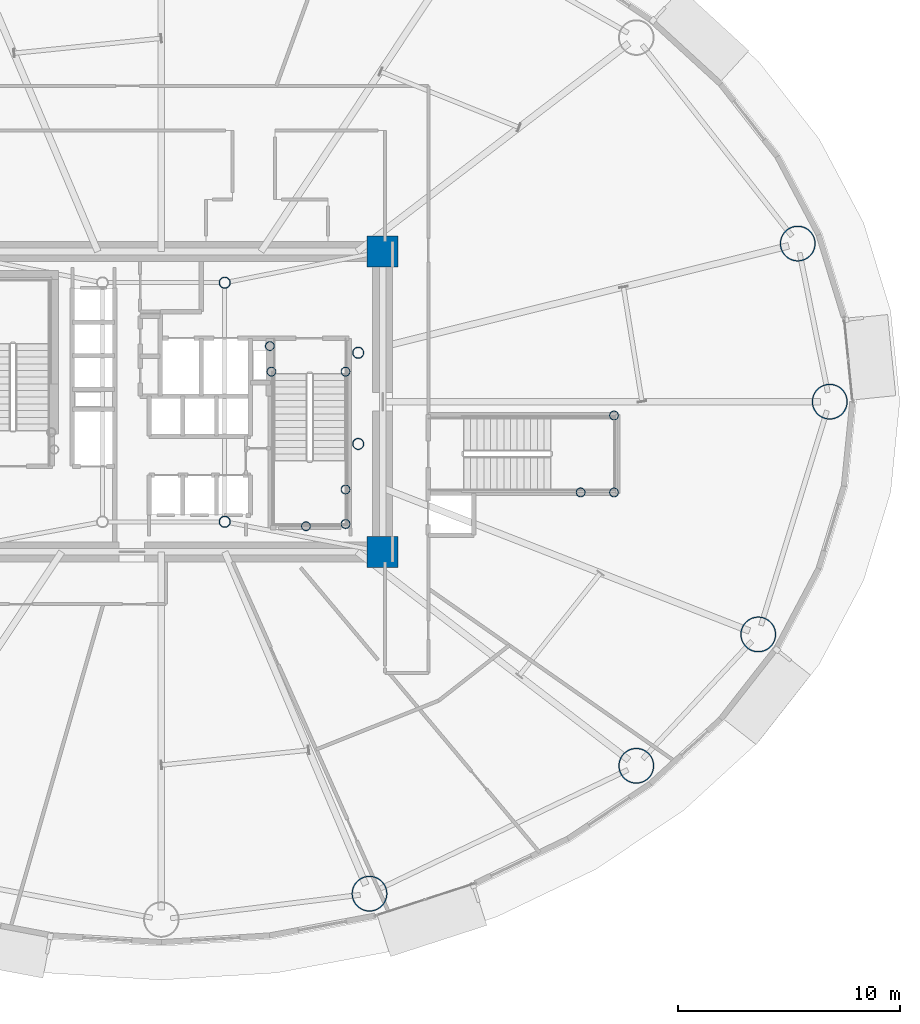
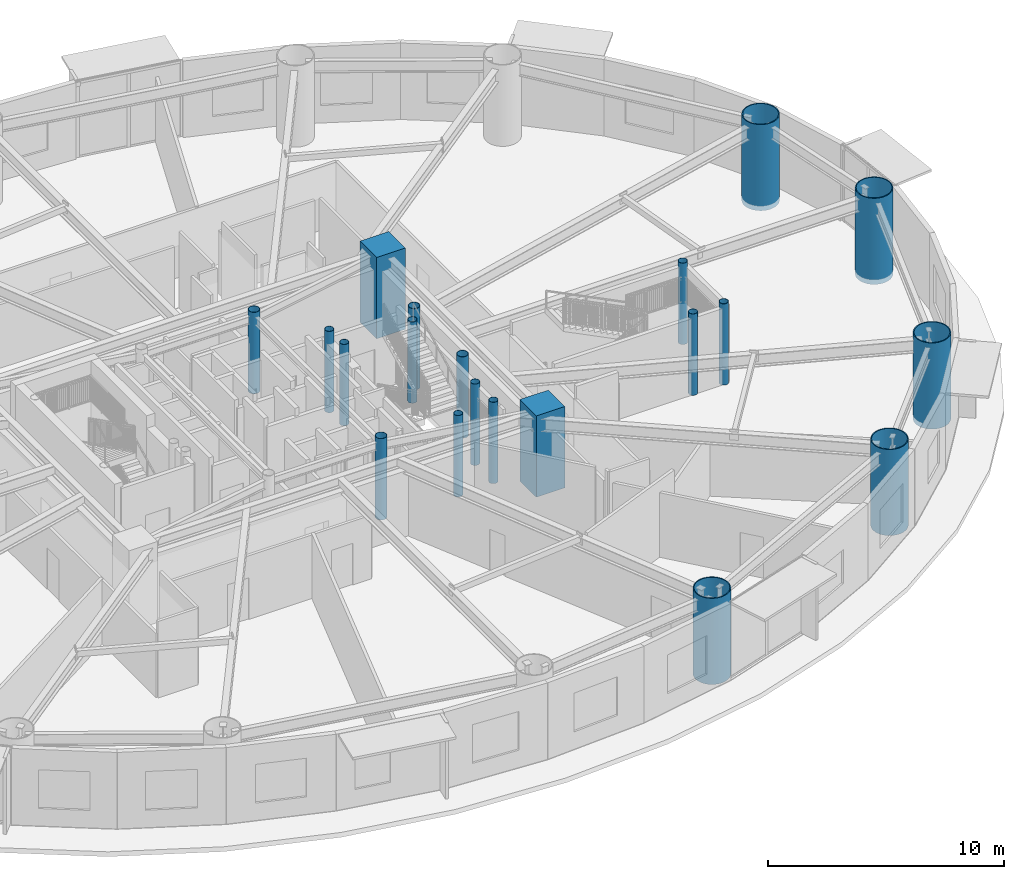
# One storey, part 2 of 35: 20 columns.
"""IFC4 building model written with IfcOpenShell, lengths in metres."""

from ifc_helpers import new_model, si_unit, direction, frame, origin, origin_2d, place, context, subcontext, project, spatial, rectangle, hollow_circle, extrude, material, material_profile, profile_set, type_object, element, save


model = new_model("IFC4")

# Units and contexts
model_context = context("Model", 3, precision=1e-05, world=origin(), true_north=direction((0.0, 1.0)))
body_context = subcontext(model_context, "Body", "Model", "MODEL_VIEW")
ifc_project = project(units=[si_unit("LENGTHUNIT", "METRE"), si_unit("AREAUNIT", "SQUARE_METRE"), si_unit("VOLUMEUNIT", "CUBIC_METRE"), si_unit("PLANEANGLEUNIT", "RADIAN"), si_unit("MASSUNIT", "GRAM", prefix="KILO")], contexts=[model_context])

# Site, building, storey
site_placement = place(None, origin())
site = spatial("IfcSite", under=ifc_project, at=site_placement, CompositionType="ELEMENT")
building_placement = place(site_placement, origin())
building = spatial("IfcBuilding", under=site, at=building_placement, Name="Linh Dai School and Residence Tower", CompositionType="ELEMENT")
storey_placement = place(building_placement, frame((0.0, 0.0, 32.39990234375)))
storey = spatial("IfcBuildingStorey", under=building, at=storey_placement, Name="L07", CompositionType="ELEMENT", Elevation=32.39990234375)

# Columns
ifc_material_1 = material(Name="Concrete B60 (C50/60)", Category="concrete")
ifc_material_profile_1 = material_profile(ifc_material_1, rectangle(XDim=1.39990234375, YDim=1.39990234375, at=origin_2d()), Name="RC 1400x1400")
ifc_profile_set_1 = profile_set([ifc_material_profile_1], Name="Concrete B60 (C50/60)")
column_type_1 = type_object("IfcColumnType", Name="COL-CC1", PredefinedType="COLUMN", material=ifc_profile_set_1)
for number, where, z_axis, x_axis, name in (
    (1, (45.949951171875, 20.25, 0.0), (0.0, 0.0, 1.0), (1.0, 0.0, 0.0), "L07 Core Corner Pier CC2"),
    (2, (45.949951171875, 33.75, 0.0), (0.0, 0.0, 1.0), (1.0, 0.0, 0.0), "L07 Core Corner Pier CC3"),
):
    element("IfcColumn", number, at=place(storey_placement, frame(where, z_axis=z_axis, x_axis=x_axis)), inside=storey, type_object=column_type_1, Name=name, PredefinedType="COLUMN", context=body_context, shape_type="SweptSolid", body=[
        extrude(rectangle(XDim=1.39990234375, YDim=1.39990234375, at=origin_2d()), origin(), (0.0, 0.0, 1.0), 4.2001953125),
    ])
ifc_material_2 = material(Name="Structural Steel S355JR", Category="steel")
ifc_material_profile_2 = material_profile(ifc_material_2, hollow_circle(Radius=0.203125, WallThickness=0.01611328125, at=origin_2d()), Name="CHS 406.4x16")
ifc_profile_set_2 = profile_set([ifc_material_profile_2], Name="Structural Steel S355JR")
column_type_2 = type_object("IfcColumnType", Name="COL-EC", PredefinedType="COLUMN", material=ifc_profile_set_2)
for number, where, z_axis, x_axis, name in (
    (3, (44.280029296875, 21.5, 0.0), (0.0, 0.0, 1.0), (1.0, 0.0, 0.0), "L07 Stair Shaft Landing Support Pier ST2SE"),
    (4, (44.280029296875, 23.050048828125, 0.0), (0.0, 0.0, 1.0), (1.0, 0.0, 0.0), "L07 Stair Shaft Landing Support Pier ST2NE"),
    (5, (42.5, 21.39990234375, 0.0), (0.0, 0.0, 1.0), (1.0, 0.0, 0.0), "L07 Stair Shaft Landing Support Pier ST2MS"),
    (6, (40.949951171875, 28.35009765625, 0.0), (0.0, 0.0, 1.0), (1.0, 0.0, 0.0), "L07 Stair Shaft Landing Support Pier ST2N1"),
    (7, (44.280029296875, 28.35009765625, 0.0), (0.0, 0.0, 1.0), (1.0, 0.0, 0.0), "L07 Stair Shaft Landing Support Pier ST2N2"),
    (8, (40.8798828125, 29.5, 0.0), (0.0, 0.0, 1.0), (1.0, 0.0, 0.0), "L07 Stair Shaft Landing Support Pier ST2N3"),
    (9, (56.35009765625, 26.3798828125, 0.0), (0.0, 0.0, 1.0), (1.0, 0.0, 0.0), "L07 Stair Shaft Landing Support Pier STS2NE"),
    (10, (56.35009765625, 22.919921875, 0.0), (0.0, 0.0, 1.0), (1.0, 0.0, 0.0), "L07 Stair Shaft Landing Support Pier STS2SE"),
    (11, (54.85009765625, 22.919921875, 0.0), (0.0, 0.0, 1.0), (1.0, 0.0, 0.0), "L07 Stair Shaft Landing Support Pier STS2MW"),
):
    element("IfcColumn", number, at=place(storey_placement, frame(where, z_axis=z_axis, x_axis=x_axis)), inside=storey, type_object=column_type_2, Name=name, PredefinedType="COLUMN", context=body_context, shape_type="SweptSolid", body=[
        extrude(hollow_circle(Radius=0.203125, WallThickness=0.01611328125, at=origin_2d()), origin(), (0.0, 0.0, 1.0), 4.2001953125),
    ])
ifc_material_profile_3 = material_profile(ifc_material_2, hollow_circle(Radius=0.800048828125, WallThickness=0.044921875, at=origin_2d()), Name="CHS 1600x45")
ifc_profile_set_3 = profile_set([ifc_material_profile_3], Name="Structural Steel S355JR")
column_type_3 = type_object("IfcColumnType", Name="COL-MC2", PredefinedType="COLUMN", material=ifc_profile_set_3)
for number, where, z_axis, x_axis, name in (
    (12, (66.050048828125, 27.0, -0.25), (0.0, 0.0, 1.0), (1.0, 0.0, 0.0), "L07 Perimeter CFT Mega-Column MC01"),
    (13, (64.61083984375, 34.108642578125, -0.25), (0.0, 0.0, 1.0), (1.0, 0.0, 0.0), "L07 Perimeter CFT Mega-Column MC02"),
    (14, (45.357666015625, 4.880126953125, -0.25), (0.0, 0.0, 1.0), (1.0, 0.0, 0.0), "L07 Perimeter CFT Mega-Column MC14"),
    (15, (57.352783203125, 10.630859375, -0.25), (0.0, 0.0, 1.0), (1.0, 0.0, 0.0), "L07 Perimeter CFT Mega-Column MC15"),
    (16, (62.83544921875, 16.5361328125, -0.25), (0.0, 0.0, 1.0), (1.0, 0.0, 0.0), "L07 Perimeter CFT Mega-Column MC16"),
):
    element("IfcColumn", number, at=place(storey_placement, frame(where, z_axis=z_axis, x_axis=x_axis)), inside=storey, type_object=column_type_3, Name=name, PredefinedType="COLUMN", context=body_context, shape_type="SweptSolid", body=[
        extrude(hollow_circle(Radius=0.800048828125, WallThickness=0.044921875, at=origin_2d()), origin(), (0.0, 0.0, 1.0), 4.4501953125),
    ])
ifc_material_profile_4 = material_profile(ifc_material_2, hollow_circle(Radius=0.25390625, WallThickness=0.02001953125, at=origin_2d()), Name="CHS 508x20")
ifc_profile_set_4 = profile_set([ifc_material_profile_4], Name="Structural Steel S355JR")
column_type_4 = type_object("IfcColumnType", Name="COL-MCP", PredefinedType="COLUMN", material=ifc_profile_set_4)
for number, where, z_axis, x_axis, name in (
    (17, (38.85009765625, 21.60009765625, 0.0), (0.0, 0.0, 1.0), (1.0, 0.0, 0.0), "L07 Core Mast Support Pier MCP2"),
    (18, (38.85009765625, 32.35009765625, 0.0), (0.0, 0.0, 1.0), (1.0, 0.0, 0.0), "L07 Core Mast Support Pier MCP3"),
    (19, (44.85009765625, 25.10009765625, 0.0), (0.0, 0.0, 1.0), (1.0, 0.0, 0.0), "L07 Sky-Lounge Core Anchor Pier S"),
    (20, (44.85009765625, 29.199951171875, 0.0), (0.0, 0.0, 1.0), (1.0, 0.0, 0.0), "L07 Sky-Lounge Core Anchor Pier N"),
):
    element("IfcColumn", number, at=place(storey_placement, frame(where, z_axis=z_axis, x_axis=x_axis)), inside=storey, type_object=column_type_4, Name=name, PredefinedType="COLUMN", context=body_context, shape_type="SweptSolid", body=[
        extrude(hollow_circle(Radius=0.25390625, WallThickness=0.02001953125, at=origin_2d()), origin(), (0.0, 0.0, 1.0), 4.2001953125),
    ])

save(model, "model.ifc")
